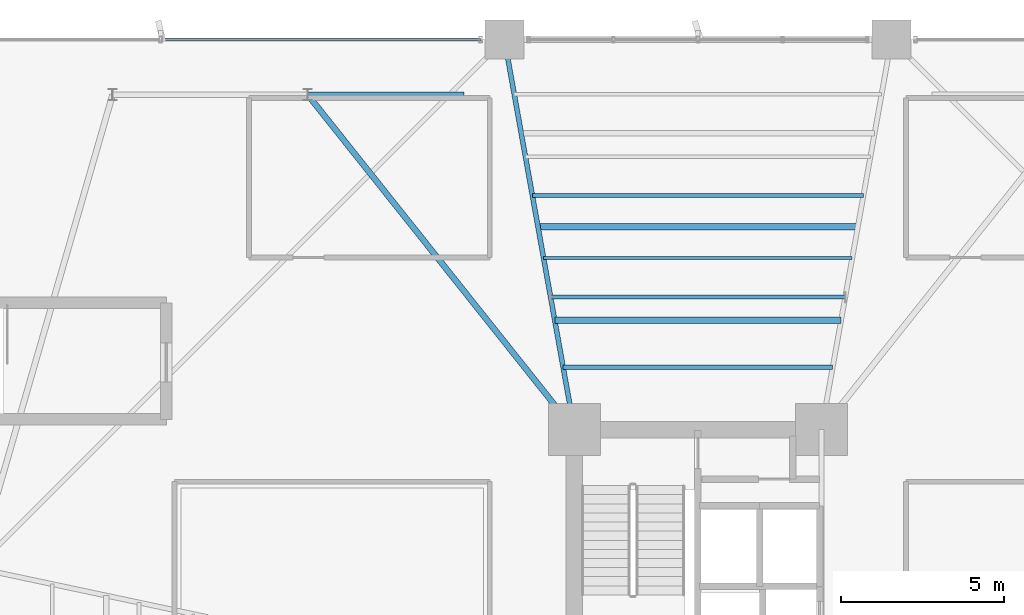
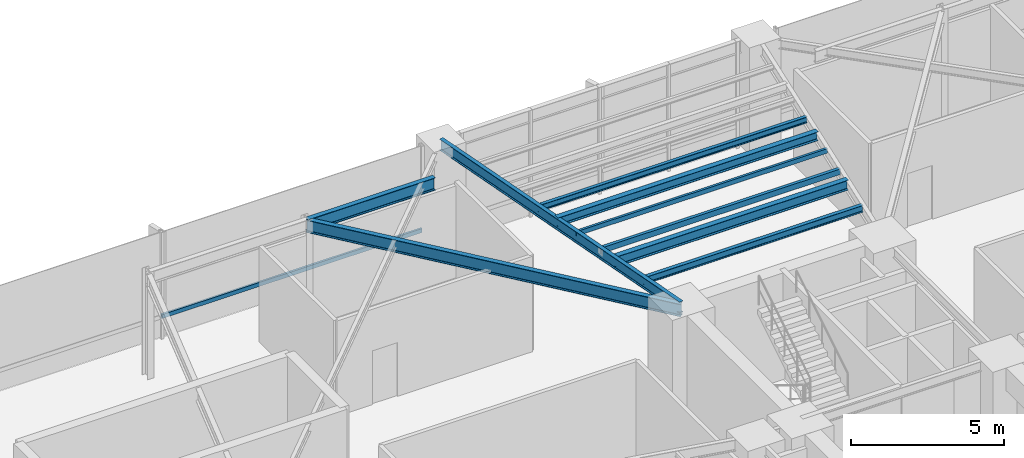
# One storey, part 14 of 26: 9 beams, 1 member, 1 element without a shape of its own.
"""IFC4 building model written with IfcOpenShell, lengths in metres."""

from ifc_helpers import new_model, si_unit, direction, frame, origin, origin_2d, place, context, subcontext, project, spatial, hollow_rectangle, i_section, extrude, source, transform, mapped, material, material_profile, profile_set, type_object, element, aggregate, save


model = new_model("IFC4")

# Units and contexts
model_context = context("Model", 3, precision=1e-05, world=origin(), true_north=direction((0.0, 1.0)))
body_context = subcontext(model_context, "Body", "Model", "MODEL_VIEW")
ifc_project = project(units=[si_unit("LENGTHUNIT", "METRE"), si_unit("AREAUNIT", "SQUARE_METRE"), si_unit("VOLUMEUNIT", "CUBIC_METRE"), si_unit("PLANEANGLEUNIT", "RADIAN"), si_unit("MASSUNIT", "GRAM", prefix="KILO")], contexts=[model_context])

# Site, building, storey
site_placement = place(None, origin())
site = spatial("IfcSite", under=ifc_project, at=site_placement, CompositionType="ELEMENT")
building_placement = place(site_placement, origin())
building = spatial("IfcBuilding", under=site, at=building_placement, Name="Sahyath Konkavel Grand Hotel", CompositionType="ELEMENT")
storey_placement = place(building_placement, frame((0.0, 0.0, 18.60009765625)))
storey = spatial("IfcBuildingStorey", under=building, at=storey_placement, Name="L04", CompositionType="ELEMENT", Elevation=18.60009765625)

# Beams
ifc_material_1 = material(Name="Steel E350", Category="steel")
ifc_material_profile_1 = material_profile(ifc_material_1, i_section(OverallWidth=0.179931640625, OverallDepth=0.5, WebThickness=0.01025390625, FlangeThickness=0.01708984375, FilletRadius=0.01708984375, at=origin_2d()), Name="ISMB 500")
ifc_profile_set_1 = profile_set([ifc_material_profile_1], Name="Steel E350")
beam_type_1 = type_object("IfcBeamType", Name="BM-ISMB500", PredefinedType="BEAM", material=ifc_profile_set_1)
shared_shape_1 = source(origin(), body_context, "Body", "SweptSolid", [
    extrude(i_section(OverallWidth=0.179931640625, OverallDepth=0.5, WebThickness=0.01025390625, FlangeThickness=0.01708984375, FilletRadius=0.01708984375, at=origin_2d()), origin(), (0.0, 0.0, 1.0), 4.800048828125),
])
beam_1_placement = place(storey_placement, frame((-12.0, 20.5, 3.949951171875), z_axis=(1.0, 0.0, 0.0), x_axis=(0.0, 1.0, 0.0)))
element("IfcBeam", 1, at=beam_1_placement, inside=storey, type_object=beam_type_1, Name="str:bm:L04:POD34-02", PredefinedType="BEAM", context=body_context, shape_type="MappedRepresentation", body=[
    mapped(shared_shape_1, transform((0.0, 0.0, 0.0), scale=1.0)),
])
shared_shape_2 = source(origin(), body_context, "Body", "SweptSolid", [
    extrude(i_section(OverallWidth=0.179931640625, OverallDepth=0.5, WebThickness=0.01025390625, FlangeThickness=0.01708984375, FilletRadius=0.01708984375, at=origin_2d()), origin(), (0.0, 0.0, 1.0), 13.16552734375),
])
beam_2_placement = place(storey_placement, frame((-12.0, 20.5, 3.949951171875), z_axis=(0.622836622372, -0.782351929653, 0.0), x_axis=(0.782351929653, 0.622836622372, 0.0)))
element("IfcBeam", 2, at=beam_2_placement, inside=storey, type_object=beam_type_1, Name="str:bm:L04:POD34-10", PredefinedType="BEAM", context=body_context, shape_type="MappedRepresentation", body=[
    mapped(shared_shape_2, transform((0.0, 0.0, 0.0), scale=1.0)),
])
ifc_material_profile_2 = material_profile(ifc_material_1, i_section(OverallWidth=0.199951171875, OverallDepth=0.39990234375, WebThickness=0.008544921875, FlangeThickness=0.012939453125, FilletRadius=0.014892578125, at=origin_2d()), Name="ISWB 400")
ifc_profile_set_2 = profile_set([ifc_material_profile_2], Name="Steel E350")
beam_type_2 = type_object("IfcBeamType", Name="BM-ISWB400", PredefinedType="BEAM", material=ifc_profile_set_2)
shared_shape_3 = source(origin(), body_context, "Body", "SweptSolid", [
    extrude(i_section(OverallWidth=0.199951171875, OverallDepth=0.39990234375, WebThickness=0.008544921875, FlangeThickness=0.012939453125, FilletRadius=0.014892578125, at=origin_2d()), origin(), (0.0, 0.0, 1.0), 8.80419921875),
])
beam_3_placement = place(storey_placement, frame((4.402099609375, 13.56005859375, 4.059814453125), z_axis=(-1.0, 0.0, 0.0), x_axis=(0.0, -1.0, 0.0)))
element("IfcBeam", 3, at=beam_3_placement, inside=storey, type_object=beam_type_2, Name="L04 Secondary Floor Beam N-1", PredefinedType="BEAM", context=body_context, shape_type="MappedRepresentation", body=[
    mapped(shared_shape_3, transform((0.0, 0.0, 0.0), scale=1.0)),
])
ifc_material_profile_3 = material_profile(ifc_material_1, i_section(OverallWidth=0.199951171875, OverallDepth=0.35009765625, WebThickness=0.008056640625, FlangeThickness=0.011474609375, FilletRadius=0.013916015625, at=origin_2d()), Name="ISWB 350")
ifc_profile_set_3 = profile_set([ifc_material_profile_3], Name="Steel E350")
beam_type_3 = type_object("IfcBeamType", Name="BM-ISWB350", PredefinedType="BEAM", material=ifc_profile_set_3)
shared_shape_4 = source(origin(), body_context, "Body", "SweptSolid", [
    extrude(i_section(OverallWidth=0.199951171875, OverallDepth=0.35009765625, WebThickness=0.008056640625, FlangeThickness=0.011474609375, FilletRadius=0.013916015625, at=origin_2d()), origin(), (0.0, 0.0, 1.0), 9.8359375),
])
beam_4_placement = place(storey_placement, frame((4.91796875, 16.43994140625, 4.0849609375), z_axis=(-1.0, 0.0, 0.0), x_axis=(0.0, -1.0, 0.0)))
element("IfcBeam", 4, at=beam_4_placement, inside=storey, type_object=beam_type_3, Name="L04 Secondary Floor Beam N-2", PredefinedType="BEAM", context=body_context, shape_type="MappedRepresentation", body=[
    mapped(shared_shape_4, transform((0.0, 0.0, 0.0), scale=1.0)),
])
ifc_material_profile_4 = material_profile(ifc_material_1, i_section(OverallWidth=0.14990234375, OverallDepth=0.449951171875, WebThickness=0.009521484375, FlangeThickness=0.017333984375, FilletRadius=0.014892578125, at=origin_2d()), Name="ISMB 450")
ifc_profile_set_4 = profile_set([ifc_material_profile_4], Name="Steel E350")
beam_type_4 = type_object("IfcBeamType", Name="BM-ISMB450", PredefinedType="BEAM", material=ifc_profile_set_4)
shared_shape_5 = source(origin(), body_context, "Body", "SweptSolid", [
    extrude(i_section(OverallWidth=0.14990234375, OverallDepth=0.449951171875, WebThickness=0.009521484375, FlangeThickness=0.017333984375, FilletRadius=0.014892578125, at=origin_2d()), origin(), (0.0, 0.0, 1.0), 12.191162109375),
])
beam_5_placement = place(storey_placement, frame((-3.800048828125, 10.199951171875, 4.034912109375), z_axis=(-0.176350650305, 0.984327409014, 0.0), x_axis=(-0.984327409014, -0.176350650305, 0.0)))
element("IfcBeam", 5, at=beam_5_placement, inside=storey, type_object=beam_type_4, Name="L04 Cruciform Radial Girder NB", PredefinedType="BEAM", context=body_context, shape_type="MappedRepresentation", body=[
    mapped(shared_shape_5, transform((0.0, 0.0, 0.0), scale=1.0)),
])
ifc_material_profile_5 = material_profile(ifc_material_1, i_section(OverallWidth=0.139892578125, OverallDepth=0.27490234375, WebThickness=0.00634765625, FlangeThickness=0.0087890625, FilletRadius=0.012939453125, at=origin_2d()), Name="ISLB 275")
ifc_profile_set_5 = profile_set([ifc_material_profile_5], Name="Steel E350")
beam_type_5 = type_object("IfcBeamType", Name="BM-ISLB275", PredefinedType="BEAM", material=ifc_profile_set_5)
shared_shape_6 = source(origin(), body_context, "Body", "SweptSolid", [
    extrude(i_section(OverallWidth=0.139892578125, OverallDepth=0.27490234375, WebThickness=0.00634765625, FlangeThickness=0.0087890625, FilletRadius=0.012939453125, at=origin_2d()), origin(), (0.0, 0.0, 1.0), 8.2880859375),
])
beam_6_placement = place(storey_placement, frame((4.14404296875, 12.1201171875, 4.0625), z_axis=(-1.0, 0.0, 0.0), x_axis=(0.0, -1.0, 0.0)))
element("IfcBeam", 6, at=beam_6_placement, inside=storey, type_object=beam_type_5, Name="L04 Composite Deck Sub-Beam N-1", PredefinedType="BEAM", context=body_context, shape_type="MappedRepresentation", body=[
    mapped(shared_shape_6, transform((0.0, 0.0, 0.0), scale=1.0)),
])
ifc_material_profile_6 = material_profile(ifc_material_1, hollow_rectangle(XDim=0.1201171875, YDim=0.219970703125, WallThickness=0.010009765625, at=origin_2d()), Name="RHS 220x120x10")
ifc_profile_set_6 = profile_set([ifc_material_profile_6], Name="Steel E350")
beam_type_6 = type_object("IfcBeamType", Name="BM-RHS220", PredefinedType="BEAM", material=ifc_profile_set_6)
shared_shape_7 = source(origin(), body_context, "Body", "SweptSolid", [
    extrude(hollow_rectangle(XDim=0.1201171875, YDim=0.219970703125, WallThickness=0.010009765625, at=origin_2d()), origin(), (0.0, 0.0, 1.0), 9.06201171875),
])
beam_7_placement = place(storey_placement, frame((4.531005859375, 14.280029296875, 4.08984375), z_axis=(-1.0, 0.0, 0.0), x_axis=(0.0, -1.0, 0.0)))
element("IfcBeam", 7, at=beam_7_placement, inside=storey, type_object=beam_type_6, Name="L04 Composite Deck Sub-Beam N-2", PredefinedType="BEAM", context=body_context, shape_type="MappedRepresentation", body=[
    mapped(shared_shape_7, transform((0.0, 0.0, 0.0), scale=1.0)),
])
ifc_material_profile_7 = material_profile(ifc_material_1, hollow_rectangle(XDim=0.090087890625, YDim=0.179931640625, WallThickness=0.008056640625, at=origin_2d()), Name="RHS 180x90x8")
ifc_profile_set_7 = profile_set([ifc_material_profile_7], Name="Steel E350")
beam_type_7 = type_object("IfcBeamType", Name="BM-RHS180", PredefinedType="BEAM", material=ifc_profile_set_7)
shared_shape_8 = source(origin(), body_context, "Body", "SweptSolid", [
    extrude(hollow_rectangle(XDim=0.090087890625, YDim=0.179931640625, WallThickness=0.008056640625, at=origin_2d()), origin(), (0.0, 0.0, 1.0), 9.4921875),
])
beam_8_placement = place(storey_placement, frame((4.74609375, 15.47998046875, 4.10986328125), z_axis=(-1.0, 0.0, 0.0), x_axis=(0.0, -1.0, 0.0)))
element("IfcBeam", 8, at=beam_8_placement, inside=storey, type_object=beam_type_7, Name="L04 Composite Deck Sub-Beam N-3", PredefinedType="BEAM", context=body_context, shape_type="MappedRepresentation", body=[
    mapped(shared_shape_8, transform((0.0, 0.0, 0.0), scale=1.0)),
])
ifc_material_profile_8 = material_profile(ifc_material_1, i_section(OverallWidth=0.125, OverallDepth=0.25, WebThickness=0.0068359375, FlangeThickness=0.012451171875, FilletRadius=0.012939453125, at=origin_2d()), Name="ISMB 250")
ifc_profile_set_8 = profile_set([ifc_material_profile_8], Name="Steel E350")
beam_type_8 = type_object("IfcBeamType", Name="BM-ISMB250", PredefinedType="BEAM", material=ifc_profile_set_8)
shared_shape_9 = source(origin(), body_context, "Body", "SweptSolid", [
    extrude(i_section(OverallWidth=0.125, OverallDepth=0.25, WebThickness=0.0068359375, FlangeThickness=0.012451171875, FilletRadius=0.012939453125, at=origin_2d()), origin(), (0.0, 0.0, 1.0), 10.18017578125),
])
beam_9_placement = place(storey_placement, frame((5.090087890625, 17.39990234375, 4.074951171875), z_axis=(-1.0, 0.0, 0.0), x_axis=(0.0, -1.0, 0.0)))
element("IfcBeam", 9, at=beam_9_placement, inside=storey, type_object=beam_type_8, Name="L04 Composite Deck Sub-Beam N-4", PredefinedType="BEAM", context=body_context, shape_type="MappedRepresentation", body=[
    mapped(shared_shape_9, transform((0.0, 0.0, 0.0), scale=1.0)),
])

# Curtain wall, member
ifc_material_2 = material(Name="Anodised Bronze Aluminium & Low-E Glazing", Category="aluminium")
curtain_wall_type = type_object("IfcCurtainWallType", Name="CW-PODIUM", PredefinedType="NOTDEFINED", material=ifc_material_2)
curtain_wall_placement = place(storey_placement, origin())
curtain_wall = element("IfcCurtainWall", 10, at=curtain_wall_placement, inside=storey, type_object=curtain_wall_type, Name="L04 Unitised Curtain Wall N3", PredefinedType="NOTDEFINED")
ifc_material_3 = material(Name="Anodised Bronze Aluminium", Category="aluminium")
ifc_material_profile_9 = material_profile(ifc_material_3, hollow_rectangle(XDim=0.080078125, YDim=0.159912109375, WallThickness=0.006103515625, at=origin_2d()), Name="RHS 160x80x6")
ifc_profile_set_9 = profile_set([ifc_material_profile_9], Name="Anodised Bronze Aluminium")
member_type = type_object("IfcMemberType", Name="CW-TRN-160", PredefinedType="USERDEFINED", material=ifc_profile_set_9)
shared_shape_10 = source(origin(), body_context, "Body", "SweptSolid", [
    extrude(hollow_rectangle(XDim=0.080078125, YDim=0.159912109375, WallThickness=0.006103515625, at=origin_2d()), origin(), (0.0, 0.0, 1.0), 9.8349609375),
])
member_placement = place(storey_placement, frame((-6.68994140625, 22.199951171875, 0.849853515625), z_axis=(-1.0, 0.0, 0.0), x_axis=(0.0, -1.0, 0.0)))
member = element("IfcMember", 11, at=member_placement, type_object=member_type, Name="L04 Curtain Wall Transom N3-0-spandrel", ObjectType="TRANSOM", PredefinedType="USERDEFINED", context=body_context, shape_type="MappedRepresentation", body=[
    mapped(shared_shape_10, transform((0.0, 0.0, 0.0), scale=1.0)),
])
aggregate(curtain_wall, [member])

save(model, "model.ifc")
